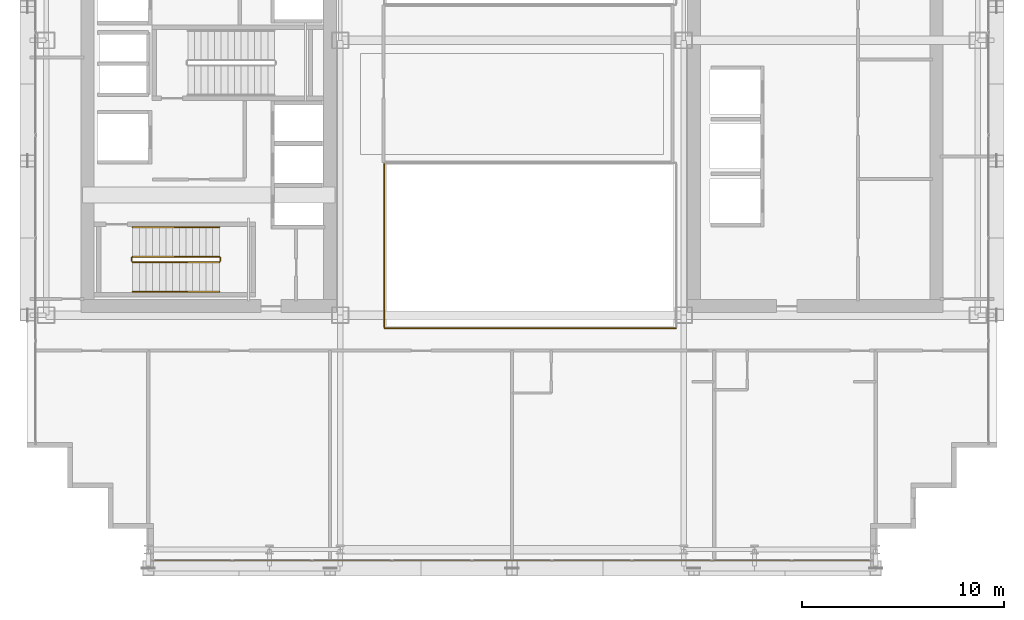
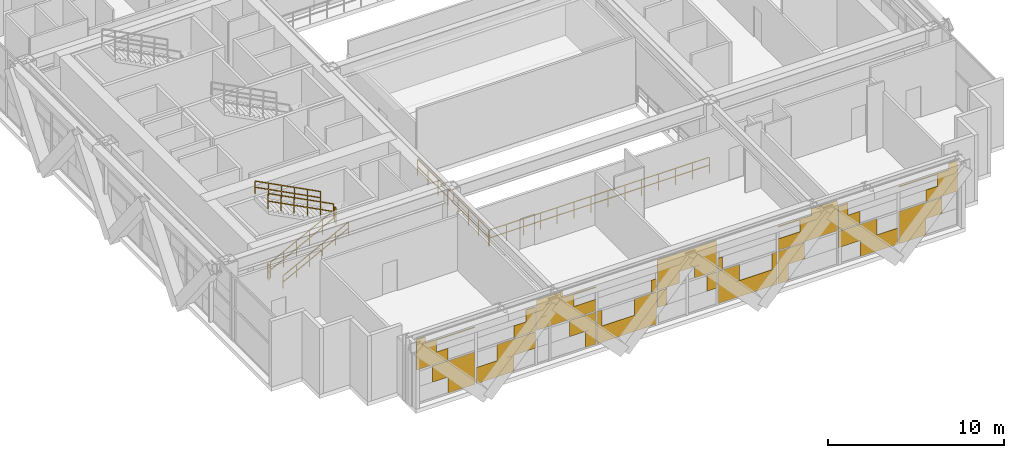
# One storey, part 35 of 38: 8 railings, 1 covering.
"""IFC4 building model written with IfcOpenShell, lengths in metres."""

import ifcopenshell
import ifcopenshell.guid

model = None  # the IFC model being written
_history = None  # IfcOwnerHistory: only IFC2X3 demands one
_inside = {}  # id of a spatial element -> (the spatial element, [elements in it])
_under = {}  # id of a project, library or spatial element -> (it, [spatial elements below it])
_declared = {}  # id of a project -> (the project, [libraries it declares])
_typed = {}  # id of a type object -> (the type object, [elements of that type])
_made_of = {}  # id of a material, layer set ... -> (it, [elements and type objects made of it])


def new_model(schema):
    """Start an empty IFC model of exactly this schema.

    Asked for "IFC4X3", IfcOpenShell would pick the latest addendum, in which some entities
    have other attributes; the version numbers below select the first issue.
    IFC2X3 requires an IfcOwnerHistory on every rooted entity: one is made here for all.
    """
    global model, _history
    if schema == "IFC4X3":
        model = ifcopenshell.file(schema_version=(4, 3, 0, 0))
    else:
        model = ifcopenshell.file(schema=schema)
    _inside.clear()
    _under.clear()
    _declared.clear()
    _typed.clear()
    _made_of.clear()
    _history = None
    if model.schema == "IFC2X3":
        org = make("IfcOrganization", Name="unknown")
        user = make(
            "IfcPersonAndOrganization",
            ThePerson=make("IfcPerson", FamilyName="unknown"),
            TheOrganization=org,
        )
        app = make(
            "IfcApplication",
            ApplicationDeveloper=org,
            Version="unknown",
            ApplicationFullName="unknown",
            ApplicationIdentifier="unknown",
        )
        _history = make(
            "IfcOwnerHistory",
            OwningUser=user,
            OwningApplication=app,
            ChangeAction="ADDED",
            CreationDate=0,
        )
    return model


def make(cls, **values):
    """One entity of the class cls with the attributes given. An attribute that is None is left unset."""
    return model.create_entity(
        cls, **{name: value for name, value in values.items() if value is not None}
    )


def rooted(cls, **values):
    """An entity with a GlobalId (a new one), such as an element, a storey or a relation."""
    return make(cls, GlobalId=ifcopenshell.guid.new(), OwnerHistory=_history, **values)


def si_unit(unit_type, name, prefix=None):
    """IfcSIUnit, for example si_unit("LENGTHUNIT", "METRE", prefix="MILLI")."""
    return make("IfcSIUnit", UnitType=unit_type, Prefix=prefix, Name=name)


def assignment(units):
    """IfcUnitAssignment: the units of a project."""
    return None if units is None else make("IfcUnitAssignment", Units=units)


def point(xyz):
    """IfcCartesianPoint."""
    return None if xyz is None else make("IfcCartesianPoint", Coordinates=xyz)


def direction(xyz):
    """IfcDirection."""
    return None if xyz is None else make("IfcDirection", DirectionRatios=xyz)


def frame(location, z_axis=None, x_axis=None):
    """IfcAxis2Placement3D, a coordinate frame: its origin and axes. An axis left out is left unset."""
    return make(
        "IfcAxis2Placement3D",
        Location=point(location),
        Axis=direction(z_axis),
        RefDirection=direction(x_axis),
    )


def frame_2d(location, x_axis=None):
    """IfcAxis2Placement2D, a coordinate frame in the plane: its origin and x axis."""
    return make(
        "IfcAxis2Placement2D", Location=point(location), RefDirection=direction(x_axis)
    )


def origin():
    """The frame at (0, 0, 0) with its axes left unset."""
    return frame((0.0, 0.0, 0.0))


def origin_2d():
    """The frame at (0, 0) in the plane with its x axis left unset."""
    return frame_2d((0.0, 0.0))


def place(relative_to, where):
    """IfcLocalPlacement: puts the frame where relative to a parent placement (None: the world)."""
    return make(
        "IfcLocalPlacement", PlacementRelTo=relative_to, RelativePlacement=where
    )


def context(
    kind, dimensions, precision=None, world=None, true_north=None, identifier=None
):
    """IfcGeometricRepresentationContext, for example the 3D "Model" context."""
    return make(
        "IfcGeometricRepresentationContext",
        ContextIdentifier=identifier,
        ContextType=kind,
        CoordinateSpaceDimension=dimensions,
        Precision=precision,
        WorldCoordinateSystem=world,
        TrueNorth=true_north,
    )


def subcontext(parent, identifier, kind, view, scale=None):
    """IfcGeometricRepresentationSubContext, for example "Body" below "Model"."""
    return make(
        "IfcGeometricRepresentationSubContext",
        ContextIdentifier=identifier,
        ContextType=kind,
        ParentContext=parent,
        TargetScale=scale,
        TargetView=view,
    )


def project(units=None, contexts=None):
    """IfcProject with its units and contexts."""
    return rooted(
        "IfcProject",
        Name="project",
        RepresentationContexts=contexts,
        UnitsInContext=assignment(units),
    )


def spatial(cls, under=None, at=None, **own):
    """A site, building, storey or space (cls), placed at a placement, below another one or the project."""
    s = rooted(cls, ObjectPlacement=at, **own)
    if under is not None:
        _under.setdefault(under.id(), (under, []))[1].append(s)
    return s


def profile(cls, at=None, kind="AREA", **sizes):
    """A parametric profile (cls). Its sizes go by their IFC names, for example OverallWidth=200.0."""
    return make(cls, ProfileType=kind, Position=at, **sizes)


def rectangle(**sizes):
    """IfcRectangleProfileDef."""
    return profile("IfcRectangleProfileDef", **sizes)


def extrude(swept, where, along, depth):
    """IfcExtrudedAreaSolid: the profile swept, set in the frame where, extruded along a direction by depth."""
    return make(
        "IfcExtrudedAreaSolid",
        SweptArea=swept,
        Position=where,
        ExtrudedDirection=direction(along),
        Depth=depth,
    )


def shape(context_of_items, identifier, shape_type, items):
    """IfcShapeRepresentation: the items that make up one representation, for example the "Body"."""
    return make(
        "IfcShapeRepresentation",
        ContextOfItems=context_of_items,
        RepresentationIdentifier=identifier,
        RepresentationType=shape_type,
        Items=items,
    )


def material(Name=None, Category=None):
    """IfcMaterial."""
    return make("IfcMaterial", Name=Name, Category=Category)


def layer(
    of_material, thickness, ventilated=None, Name=None, Category=None, Priority=None
):
    """IfcMaterialLayer: one layer of a wall or slab, of a material (None: an air gap)."""
    return make(
        "IfcMaterialLayer",
        Material=of_material,
        LayerThickness=thickness,
        IsVentilated=ventilated,
        Name=Name,
        Category=Category,
        Priority=Priority,
    )


def layer_set(layers, Name=None):
    """IfcMaterialLayerSet."""
    return make("IfcMaterialLayerSet", MaterialLayers=layers, LayerSetName=Name)


def made_of(thing, what):
    """Note that an element or type object is made of a material, layer set ...; save() writes the relation."""
    if what is not None:
        _made_of.setdefault(what.id(), (what, []))[1].append(thing)
    return thing


def type_object(cls, material=None, **own):
    """A type object (cls), such as IfcWallType, which elements share."""
    return made_of(rooted(cls, **own), material)


def element(
    cls,
    number,
    at=None,
    inside=None,
    cuts=None,
    type_object=None,
    material=None,
    context=None,
    identifier="Body",
    shape_type=None,
    held_by="IfcProductDefinitionShape",
    body=None,
    shapes=None,
    **own,
):
    """One element of the class cls, such as IfcWall. Its Tag is "e" and its number.

    at: its placement. inside: the storey or other place that contains it. cuts: it is an
    opening in that element (IfcRelVoidsElement). A single representation is given by context,
    identifier, shape_type and body (its items); several are given by shapes. held_by: the class
    of the entity that holds the representations. save() writes the other relations.
    """
    e = rooted(cls, Tag="e%d" % number, ObjectPlacement=at, **own)
    if body is not None:
        shapes = [shape(context, identifier, shape_type, body)]
    if shapes is not None:
        e.Representation = make(held_by, Representations=shapes)
    if inside is not None:
        _inside.setdefault(inside.id(), (inside, []))[1].append(e)
    if cuts is not None:
        rooted(
            "IfcRelVoidsElement", RelatingBuildingElement=cuts, RelatedOpeningElement=e
        )
    if type_object is not None:
        _typed.setdefault(type_object.id(), (type_object, []))[1].append(e)
    return made_of(e, material)


def aggregate(whole, parts):
    """IfcRelAggregates: a whole, such as a stair, and the parts it consists of."""
    return rooted("IfcRelAggregates", RelatingObject=whole, RelatedObjects=parts)


def save(model, path):
    """Write the relations noted so far, then the file.

    IfcRelAggregates (storeys below a building ...), IfcRelContainedInSpatialStructure (elements
    in a storey), IfcRelDefinesByType, IfcRelAssociatesMaterial and IfcRelDeclares: one each for
    every whole, place, type object, material and project.
    """
    for whole, parts in _under.values():
        aggregate(whole, parts)
    for where, things in _inside.values():
        rooted(
            "IfcRelContainedInSpatialStructure",
            RelatedElements=things,
            RelatingStructure=where,
        )
    for kind, things in _typed.values():
        rooted("IfcRelDefinesByType", RelatedObjects=things, RelatingType=kind)
    for what, things in _made_of.values():
        rooted("IfcRelAssociatesMaterial", RelatedObjects=things, RelatingMaterial=what)
    for by, libraries in _declared.values():
        rooted("IfcRelDeclares", RelatingContext=by, RelatedDefinitions=libraries)
    model.write(path)


model = new_model("IFC4")

# Units and contexts
model_context = context("Model", 3, precision=1e-05, world=origin(), true_north=direction((0.0, 1.0)))
body_context = subcontext(model_context, "Body", "Model", "MODEL_VIEW")
ifc_project = project(units=[si_unit("LENGTHUNIT", "METRE"), si_unit("AREAUNIT", "SQUARE_METRE"), si_unit("VOLUMEUNIT", "CUBIC_METRE"), si_unit("PLANEANGLEUNIT", "RADIAN"), si_unit("MASSUNIT", "GRAM", prefix="KILO")], contexts=[model_context])

# Site, building, storey
site_placement = place(None, origin())
site = spatial("IfcSite", under=ifc_project, at=site_placement, CompositionType="ELEMENT")
building_placement = place(site_placement, origin())
building = spatial("IfcBuilding", under=site, at=building_placement, Name="Ocotamira Hotel", CompositionType="ELEMENT")
storey_placement = place(building_placement, frame((0.0, 0.0, 92.39990234375)))
storey = spatial("IfcBuildingStorey", under=building, at=storey_placement, Name="L22", CompositionType="ELEMENT", Elevation=92.39990234375)

# Covering
ifc_material_1 = material(Name="Insulated pale-metal aluminium spandrel panel", Category="aluminium")
ifc_layer = layer(ifc_material_1, 0.044921875)
ifc_layer_set = layer_set([ifc_layer], Name="Insulated pale-metal aluminium spandrel panel")
covering_type = type_object("IfcCoveringType", Name="COV-INFILL-45", PredefinedType="CLADDING", material=ifc_layer_set)
covering_placement = place(storey_placement, origin())
element("IfcCovering", 1, at=covering_placement, inside=storey, type_object=covering_type, Name="L22 Curtain Wall Infill CW-5 CW-L22-S1", PredefinedType="CLADDING", context=body_context, shape_type="SweptSolid", body=[
    extrude(rectangle(XDim=2.8037109375, YDim=0.044921875, at=origin_2d()), frame((16.71337890625, 2.419921875, 1.1943359375), z_axis=(0.0, 0.0, 1.0), x_axis=(1.0, 0.0, 0.0)), (0.0, 0.0, 1.0), 1.117919921875),
    extrude(rectangle(XDim=1.763427734375, YDim=0.044921875, at=origin_2d()), frame((17.2333984375, 2.419921875, 0.07568359375), z_axis=(0.0, 0.0, 1.0), x_axis=(1.0, 0.0, 0.0)), (0.0, 0.0, 1.0), 1.117919921875),
    extrude(rectangle(XDim=2.052490234375, YDim=0.044921875, at=origin_2d()), frame((15.306884765625, 2.419921875, 2.387939453125), z_axis=(0.0, 0.0, 1.0), x_axis=(1.0, 0.0, 0.0)), (0.0, 0.0, 1.0), 0.79638671875),
    extrude(rectangle(XDim=1.311279296875, YDim=0.044921875, at=origin_2d()), frame((14.936279296875, 2.419921875, 3.185302734375), z_axis=(0.0, 0.0, 1.0), x_axis=(1.0, 0.0, 0.0)), (0.0, 0.0, 1.0), 0.79638671875),
    extrude(rectangle(XDim=3.834716796875, YDim=0.044921875, at=origin_2d()), frame((16.19775390625, 2.419921875, 3.982421875), z_axis=(0.0, 0.0, 1.0), x_axis=(1.0, 0.0, 0.0)), (0.0, 0.0, 1.0), 0.072998046875),
    extrude(rectangle(XDim=0.578125, YDim=0.044921875, at=origin_2d()), frame((14.569580078125, 2.419921875, 4.056640625), z_axis=(0.0, 0.0, 1.0), x_axis=(1.0, 0.0, 0.0)), (0.0, 0.0, 1.0), 0.427978515625),
    extrude(rectangle(XDim=2.452392578125, YDim=0.044921875, at=origin_2d()), frame((19.422119140625, 2.419921875, 0.07568359375), z_axis=(0.0, 0.0, 1.0), x_axis=(1.0, 0.0, 0.0)), (0.0, 0.0, 1.0), 1.117919921875),
    extrude(rectangle(XDim=2.513671875, YDim=0.044921875, at=origin_2d()), frame((20.813720703125, 2.419921875, 1.1943359375), z_axis=(0.0, 0.0, 1.0), x_axis=(1.0, 0.0, 0.0)), (0.0, 0.0, 1.0), 1.117919921875),
    extrude(rectangle(XDim=1.40380859375, YDim=0.044921875, at=origin_2d()), frame((21.36865234375, 2.419921875, 2.38818359375), z_axis=(0.0, 0.0, 1.0), x_axis=(1.0, 0.0, 0.0)), (0.0, 0.0, 1.0), 0.833251953125),
    extrude(rectangle(XDim=0.628173828125, YDim=0.044921875, at=origin_2d()), frame((21.756591796875, 2.419921875, 3.22216796875), z_axis=(0.0, 0.0, 1.0), x_axis=(1.0, 0.0, 0.0)), (0.0, 0.0, 1.0), 0.833251953125),
    extrude(rectangle(XDim=1.714599609375, YDim=0.044921875, at=origin_2d()), frame((25.168701171875, 2.419921875, 1.1943359375), z_axis=(0.0, 0.0, 1.0), x_axis=(1.0, 0.0, 0.0)), (0.0, 0.0, 1.0), 1.117919921875),
    extrude(rectangle(XDim=0.674560546875, YDim=0.044921875, at=origin_2d()), frame((25.68896484375, 2.419921875, 0.07568359375), z_axis=(0.0, 0.0, 1.0), x_axis=(1.0, 0.0, 0.0)), (0.0, 0.0, 1.0), 1.117919921875),
    extrude(rectangle(XDim=3.87451171875, YDim=0.044921875, at=origin_2d()), frame((24.0888671875, 2.419921875, 2.387939453125), z_axis=(0.0, 0.0, 1.0), x_axis=(1.0, 0.0, 0.0)), (0.0, 0.0, 1.0), 0.79638671875),
    extrude(rectangle(XDim=2.440185546875, YDim=0.044921875, at=origin_2d()), frame((23.37158203125, 2.419921875, 3.185302734375), z_axis=(0.0, 0.0, 1.0), x_axis=(1.0, 0.0, 0.0)), (0.0, 0.0, 1.0), 0.79638671875),
    extrude(rectangle(XDim=3.87451171875, YDim=0.044921875, at=origin_2d()), frame((24.0888671875, 2.419921875, 3.982421875), z_axis=(0.0, 0.0, 1.0), x_axis=(1.0, 0.0, 0.0)), (0.0, 0.0, 1.0), 0.072998046875),
    extrude(rectangle(XDim=1.70703125, YDim=0.044921875, at=origin_2d()), frame((23.005126953125, 2.419921875, 4.056640625), z_axis=(0.0, 0.0, 1.0), x_axis=(1.0, 0.0, 0.0)), (0.0, 0.0, 1.0), 0.427978515625),
    extrude(rectangle(XDim=3.87451171875, YDim=0.044921875, at=origin_2d()), frame((28.04443359375, 2.419921875, 0.07568359375), z_axis=(0.0, 0.0, 1.0), x_axis=(1.0, 0.0, 0.0)), (0.0, 0.0, 1.0), 1.117919921875),
    extrude(rectangle(XDim=0.3359375, YDim=0.044921875, at=origin_2d()), frame((26.275146484375, 2.419921875, 1.1943359375), z_axis=(0.0, 0.0, 1.0), x_axis=(1.0, 0.0, 0.0)), (0.0, 0.0, 1.0), 1.117919921875),
    extrude(rectangle(XDim=1.4248046875, YDim=0.044921875, at=origin_2d()), frame((29.269287109375, 2.419921875, 1.1943359375), z_axis=(0.0, 0.0, 1.0), x_axis=(1.0, 0.0, 0.0)), (0.0, 0.0, 1.0), 1.117919921875),
    extrude(rectangle(XDim=0.314697265625, YDim=0.044921875, at=origin_2d()), frame((29.82421875, 2.419921875, 2.38818359375), z_axis=(0.0, 0.0, 1.0), x_axis=(1.0, 0.0, 0.0)), (0.0, 0.0, 1.0), 0.833251953125),
    extrude(rectangle(XDim=0.625732421875, YDim=0.044921875, at=origin_2d()), frame((30.37548828125, 2.419921875, 1.1943359375), z_axis=(0.0, 0.0, 1.0), x_axis=(1.0, 0.0, 0.0)), (0.0, 0.0, 1.0), 1.117919921875),
    extrude(rectangle(XDim=0.625732421875, YDim=0.044921875, at=origin_2d()), frame((33.62451171875, 2.419921875, 1.1943359375), z_axis=(0.0, 0.0, 1.0), x_axis=(1.0, 0.0, 0.0)), (0.0, 0.0, 1.0), 1.117919921875),
    extrude(rectangle(XDim=1.436767578125, YDim=0.044921875, at=origin_2d()), frame((30.781005859375, 2.419921875, 2.387939453125), z_axis=(0.0, 0.0, 1.0), x_axis=(1.0, 0.0, 0.0)), (0.0, 0.0, 1.0), 0.79638671875),
    extrude(rectangle(XDim=3.87451171875, YDim=0.044921875, at=origin_2d()), frame((32.0, 2.419921875, 3.185302734375), z_axis=(0.0, 0.0, 1.0), x_axis=(1.0, 0.0, 0.0)), (0.0, 0.0, 1.0), 1.29931640625),
    extrude(rectangle(XDim=1.436767578125, YDim=0.044921875, at=origin_2d()), frame((33.218994140625, 2.419921875, 2.387939453125), z_axis=(0.0, 0.0, 1.0), x_axis=(1.0, 0.0, 0.0)), (0.0, 0.0, 1.0), 0.79638671875),
    extrude(rectangle(XDim=3.87451171875, YDim=0.044921875, at=origin_2d()), frame((35.95556640625, 2.419921875, 0.07568359375), z_axis=(0.0, 0.0, 1.0), x_axis=(1.0, 0.0, 0.0)), (0.0, 0.0, 1.0), 1.117919921875),
    extrude(rectangle(XDim=1.4248046875, YDim=0.044921875, at=origin_2d()), frame((34.730712890625, 2.419921875, 1.1943359375), z_axis=(0.0, 0.0, 1.0), x_axis=(1.0, 0.0, 0.0)), (0.0, 0.0, 1.0), 1.117919921875),
    extrude(rectangle(XDim=0.3359375, YDim=0.044921875, at=origin_2d()), frame((37.724853515625, 2.419921875, 1.1943359375), z_axis=(0.0, 0.0, 1.0), x_axis=(1.0, 0.0, 0.0)), (0.0, 0.0, 1.0), 1.117919921875),
    extrude(rectangle(XDim=0.314697265625, YDim=0.044921875, at=origin_2d()), frame((34.17578125, 2.419921875, 2.38818359375), z_axis=(0.0, 0.0, 1.0), x_axis=(1.0, 0.0, 0.0)), (0.0, 0.0, 1.0), 0.833251953125),
    extrude(rectangle(XDim=0.674560546875, YDim=0.044921875, at=origin_2d()), frame((38.31103515625, 2.419921875, 0.07568359375), z_axis=(0.0, 0.0, 1.0), x_axis=(1.0, 0.0, 0.0)), (0.0, 0.0, 1.0), 1.117919921875),
    extrude(rectangle(XDim=1.714599609375, YDim=0.044921875, at=origin_2d()), frame((38.831298828125, 2.419921875, 1.1943359375), z_axis=(0.0, 0.0, 1.0), x_axis=(1.0, 0.0, 0.0)), (0.0, 0.0, 1.0), 1.117919921875),
    extrude(rectangle(XDim=3.87451171875, YDim=0.044921875, at=origin_2d()), frame((39.9111328125, 2.419921875, 2.387939453125), z_axis=(0.0, 0.0, 1.0), x_axis=(1.0, 0.0, 0.0)), (0.0, 0.0, 1.0), 0.79638671875),
    extrude(rectangle(XDim=3.87451171875, YDim=0.044921875, at=origin_2d()), frame((39.9111328125, 2.419921875, 3.982421875), z_axis=(0.0, 0.0, 1.0), x_axis=(1.0, 0.0, 0.0)), (0.0, 0.0, 1.0), 0.072998046875),
    extrude(rectangle(XDim=2.440185546875, YDim=0.044921875, at=origin_2d()), frame((40.62841796875, 2.419921875, 3.185302734375), z_axis=(0.0, 0.0, 1.0), x_axis=(1.0, 0.0, 0.0)), (0.0, 0.0, 1.0), 0.79638671875),
    extrude(rectangle(XDim=1.70703125, YDim=0.044921875, at=origin_2d()), frame((40.994873046875, 2.419921875, 4.056640625), z_axis=(0.0, 0.0, 1.0), x_axis=(1.0, 0.0, 0.0)), (0.0, 0.0, 1.0), 0.427978515625),
    extrude(rectangle(XDim=2.513671875, YDim=0.044921875, at=origin_2d()), frame((43.186279296875, 2.419921875, 1.1943359375), z_axis=(0.0, 0.0, 1.0), x_axis=(1.0, 0.0, 0.0)), (0.0, 0.0, 1.0), 1.117919921875),
    extrude(rectangle(XDim=2.452392578125, YDim=0.044921875, at=origin_2d()), frame((44.577880859375, 2.419921875, 0.07568359375), z_axis=(0.0, 0.0, 1.0), x_axis=(1.0, 0.0, 0.0)), (0.0, 0.0, 1.0), 1.117919921875),
    extrude(rectangle(XDim=1.40380859375, YDim=0.044921875, at=origin_2d()), frame((42.63134765625, 2.419921875, 2.38818359375), z_axis=(0.0, 0.0, 1.0), x_axis=(1.0, 0.0, 0.0)), (0.0, 0.0, 1.0), 0.833251953125),
    extrude(rectangle(XDim=0.628173828125, YDim=0.044921875, at=origin_2d()), frame((42.243408203125, 2.419921875, 3.22216796875), z_axis=(0.0, 0.0, 1.0), x_axis=(1.0, 0.0, 0.0)), (0.0, 0.0, 1.0), 0.833251953125),
    extrude(rectangle(XDim=1.763427734375, YDim=0.044921875, at=origin_2d()), frame((46.7666015625, 2.419921875, 0.07568359375), z_axis=(0.0, 0.0, 1.0), x_axis=(1.0, 0.0, 0.0)), (0.0, 0.0, 1.0), 1.117919921875),
    extrude(rectangle(XDim=2.8037109375, YDim=0.044921875, at=origin_2d()), frame((47.28662109375, 2.419921875, 1.1943359375), z_axis=(0.0, 0.0, 1.0), x_axis=(1.0, 0.0, 0.0)), (0.0, 0.0, 1.0), 1.117919921875),
    extrude(rectangle(XDim=3.834716796875, YDim=0.044921875, at=origin_2d()), frame((47.80224609375, 2.419921875, 3.982421875), z_axis=(0.0, 0.0, 1.0), x_axis=(1.0, 0.0, 0.0)), (0.0, 0.0, 1.0), 0.072998046875),
    extrude(rectangle(XDim=2.052490234375, YDim=0.044921875, at=origin_2d()), frame((48.693115234375, 2.419921875, 2.387939453125), z_axis=(0.0, 0.0, 1.0), x_axis=(1.0, 0.0, 0.0)), (0.0, 0.0, 1.0), 0.79638671875),
    extrude(rectangle(XDim=1.311279296875, YDim=0.044921875, at=origin_2d()), frame((49.063720703125, 2.419921875, 3.185302734375), z_axis=(0.0, 0.0, 1.0), x_axis=(1.0, 0.0, 0.0)), (0.0, 0.0, 1.0), 0.79638671875),
    extrude(rectangle(XDim=0.578125, YDim=0.044921875, at=origin_2d()), frame((49.430419921875, 2.419921875, 4.056640625), z_axis=(0.0, 0.0, 1.0), x_axis=(1.0, 0.0, 0.0)), (0.0, 0.0, 1.0), 0.427978515625),
])

# Railings
ifc_material_2 = material(Name="Painted steel stair guardrail", Category="steel")
railing_type_1 = type_object("IfcRailingType", Name="RL-EDGE-1150", PredefinedType="GUARDRAIL", material=ifc_material_2)
railing_1_placement = place(storey_placement, frame((25.699951171875, 13.89990234375, 0.0)))
element("IfcRailing", 2, at=railing_1_placement, inside=storey, type_object=railing_type_1, Name="L22 Atrium Bridge Lightwell Guard S S", PredefinedType="GUARDRAIL", context=body_context, shape_type="SweptSolid", body=[
    extrude(rectangle(XDim=0.048095703125, YDim=0.048095703125, at=origin_2d()), frame((0.0, 0.0, 1.1259765625), z_axis=(1.0, 0.0, 0.0), x_axis=(0.0, 1.0, 0.0)), (0.0, 0.0, 1.0), 14.400146484375),
    extrude(rectangle(XDim=0.048095703125, YDim=0.048095703125, at=origin_2d()), frame((0.0, 0.0, 0.574951171875), z_axis=(1.0, 0.0, 0.0), x_axis=(0.0, 1.0, 0.0)), (0.0, 0.0, 1.0), 14.400146484375),
    extrude(rectangle(XDim=0.0419921875, YDim=0.0419921875, at=origin_2d()), origin(), (0.0, 0.0, 1.0), 1.101806640625),
    extrude(rectangle(XDim=0.0419921875, YDim=0.0419921875, at=origin_2d()), frame((1.107666015625, 0.0, 0.0)), (0.0, 0.0, 1.0), 1.101806640625),
    extrude(rectangle(XDim=0.0419921875, YDim=0.0419921875, at=origin_2d()), frame((2.21533203125, 0.0, 0.0)), (0.0, 0.0, 1.0), 1.101806640625),
    extrude(rectangle(XDim=0.0419921875, YDim=0.0419921875, at=origin_2d()), frame((3.322998046875, 0.0, 0.0)), (0.0, 0.0, 1.0), 1.101806640625),
    extrude(rectangle(XDim=0.0419921875, YDim=0.0419921875, at=origin_2d()), frame((4.430908203125, 0.0, 0.0)), (0.0, 0.0, 1.0), 1.101806640625),
    extrude(rectangle(XDim=0.0419921875, YDim=0.0419921875, at=origin_2d()), frame((5.53857421875, 0.0, 0.0)), (0.0, 0.0, 1.0), 1.101806640625),
    extrude(rectangle(XDim=0.0419921875, YDim=0.0419921875, at=origin_2d()), frame((6.646240234375, 0.0, 0.0)), (0.0, 0.0, 1.0), 1.101806640625),
    extrude(rectangle(XDim=0.0419921875, YDim=0.0419921875, at=origin_2d()), frame((7.75390625, 0.0, 0.0)), (0.0, 0.0, 1.0), 1.101806640625),
    extrude(rectangle(XDim=0.0419921875, YDim=0.0419921875, at=origin_2d()), frame((8.861572265625, 0.0, 0.0)), (0.0, 0.0, 1.0), 1.101806640625),
    extrude(rectangle(XDim=0.0419921875, YDim=0.0419921875, at=origin_2d()), frame((9.96923828125, 0.0, 0.0)), (0.0, 0.0, 1.0), 1.101806640625),
    extrude(rectangle(XDim=0.0419921875, YDim=0.0419921875, at=origin_2d()), frame((11.0771484375, 0.0, 0.0)), (0.0, 0.0, 1.0), 1.101806640625),
    extrude(rectangle(XDim=0.0419921875, YDim=0.0419921875, at=origin_2d()), frame((12.184814453125, 0.0, 0.0)), (0.0, 0.0, 1.0), 1.101806640625),
    extrude(rectangle(XDim=0.0419921875, YDim=0.0419921875, at=origin_2d()), frame((13.29248046875, 0.0, 0.0)), (0.0, 0.0, 1.0), 1.101806640625),
    extrude(rectangle(XDim=0.0419921875, YDim=0.0419921875, at=origin_2d()), frame((14.400146484375, 0.0, 0.0)), (0.0, 0.0, 1.0), 1.101806640625),
])
railing_2_placement = place(storey_placement, frame((25.679931640625, 22.02001953125, 0.0)))
element("IfcRailing", 3, at=railing_2_placement, inside=storey, type_object=railing_type_1, Name="L22 Atrium Bridge Lightwell Guard S W", PredefinedType="GUARDRAIL", context=body_context, shape_type="SweptSolid", body=[
    extrude(rectangle(XDim=0.048095703125, YDim=0.048095703125, at=origin_2d()), frame((0.0, 0.0, 1.1259765625), z_axis=(0.0, -1.0, 0.0), x_axis=(1.0, 0.0, 0.0)), (0.0, 0.0, 1.0), 8.0400390625),
    extrude(rectangle(XDim=0.048095703125, YDim=0.048095703125, at=origin_2d()), frame((0.0, 0.0, 0.574951171875), z_axis=(0.0, -1.0, 0.0), x_axis=(1.0, 0.0, 0.0)), (0.0, 0.0, 1.0), 8.0400390625),
    extrude(rectangle(XDim=0.0419921875, YDim=0.0419921875, at=origin_2d()), origin(), (0.0, 0.0, 1.0), 1.101806640625),
    extrude(rectangle(XDim=0.0419921875, YDim=0.0419921875, at=origin_2d()), frame((0.0, -1.148681640625, 0.0)), (0.0, 0.0, 1.0), 1.101806640625),
    extrude(rectangle(XDim=0.0419921875, YDim=0.0419921875, at=origin_2d()), frame((0.0, -2.297119140625, 0.0)), (0.0, 0.0, 1.0), 1.101806640625),
    extrude(rectangle(XDim=0.0419921875, YDim=0.0419921875, at=origin_2d()), frame((0.0, -3.44580078125, 0.0)), (0.0, 0.0, 1.0), 1.101806640625),
    extrude(rectangle(XDim=0.0419921875, YDim=0.0419921875, at=origin_2d()), frame((0.0, -4.59423828125, 0.0)), (0.0, 0.0, 1.0), 1.101806640625),
    extrude(rectangle(XDim=0.0419921875, YDim=0.0419921875, at=origin_2d()), frame((0.0, -5.742919921875, 0.0)), (0.0, 0.0, 1.0), 1.101806640625),
    extrude(rectangle(XDim=0.0419921875, YDim=0.0419921875, at=origin_2d()), frame((0.0, -6.891357421875, 0.0)), (0.0, 0.0, 1.0), 1.101806640625),
    extrude(rectangle(XDim=0.0419921875, YDim=0.0419921875, at=origin_2d()), frame((0.0, -8.0400390625, 0.0)), (0.0, 0.0, 1.0), 1.101806640625),
])
ifc_material_3 = material(Name="Brushed stainless steel handrail", Category="steel")
railing_type_2 = type_object("IfcRailingType", Name="RL-HAND-900", PredefinedType="HANDRAIL", material=ifc_material_3)
railing_3_placement = place(storey_placement, frame((13.22998046875, 15.719970703125, 0.343017578125)))
element("IfcRailing", 4, at=railing_3_placement, inside=storey, type_object=railing_type_2, Name="L22 ST-1 stair handrail 1", PredefinedType="HANDRAIL", context=body_context, shape_type="SweptSolid", body=[
    extrude(rectangle(XDim=0.048095703125, YDim=0.048095703125, at=origin_2d()), frame((0.0, 0.0, 0.8759765625), z_axis=(0.887411858541, 0.0, 0.46097743255), x_axis=(0.0, 1.0, 0.0)), (0.0, 0.0, 1.0), 4.834228515625),
    extrude(rectangle(XDim=0.048095703125, YDim=0.048095703125, at=origin_2d()), frame((0.0, 0.0, 0.449951171875), z_axis=(0.887411858541, 0.0, 0.46097743255), x_axis=(0.0, 1.0, 0.0)), (0.0, 0.0, 1.0), 4.834228515625),
    extrude(rectangle(XDim=0.0419921875, YDim=0.0419921875, at=origin_2d()), origin(), (0.0, 0.0, 1.0), 0.851806640625),
    extrude(rectangle(XDim=0.0419921875, YDim=0.0419921875, at=origin_2d()), frame((0.85791015625, 0.0, 0.44580078125)), (0.0, 0.0, 1.0), 0.851806640625),
    extrude(rectangle(XDim=0.0419921875, YDim=0.0419921875, at=origin_2d()), frame((1.716064453125, 0.0, 0.891357421875)), (0.0, 0.0, 1.0), 0.851806640625),
    extrude(rectangle(XDim=0.0419921875, YDim=0.0419921875, at=origin_2d()), frame((2.573974609375, 0.0, 1.337158203125)), (0.0, 0.0, 1.0), 0.851806640625),
    extrude(rectangle(XDim=0.0419921875, YDim=0.0419921875, at=origin_2d()), frame((3.43212890625, 0.0, 1.78271484375)), (0.0, 0.0, 1.0), 0.851806640625),
    extrude(rectangle(XDim=0.0419921875, YDim=0.0419921875, at=origin_2d()), frame((4.2900390625, 0.0, 2.228515625)), (0.0, 0.0, 1.0), 0.851806640625),
])
railing_4_placement = place(storey_placement, frame((17.52001953125, 18.89990234375, 2.742919921875)))
element("IfcRailing", 5, at=railing_4_placement, inside=storey, type_object=railing_type_2, Name="L22 ST-1 stair handrail 2", PredefinedType="HANDRAIL", context=body_context, shape_type="SweptSolid", body=[
    extrude(rectangle(XDim=0.048095703125, YDim=0.048095703125, at=origin_2d()), frame((0.0, 0.0, 0.8759765625), z_axis=(-0.887411858541, 0.0, 0.46097743255), x_axis=(0.0, -1.0, 0.0)), (0.0, 0.0, 1.0), 4.834228515625),
    extrude(rectangle(XDim=0.048095703125, YDim=0.048095703125, at=origin_2d()), frame((0.0, 0.0, 0.449951171875), z_axis=(-0.887411858541, 0.0, 0.46097743255), x_axis=(0.0, -1.0, 0.0)), (0.0, 0.0, 1.0), 4.834228515625),
    extrude(rectangle(XDim=0.0419921875, YDim=0.0419921875, at=origin_2d()), origin(), (0.0, 0.0, 1.0), 0.851806640625),
    extrude(rectangle(XDim=0.0419921875, YDim=0.0419921875, at=origin_2d()), frame((-0.85791015625, 0.0, 0.44580078125)), (0.0, 0.0, 1.0), 0.851806640625),
    extrude(rectangle(XDim=0.0419921875, YDim=0.0419921875, at=origin_2d()), frame((-1.716064453125, 0.0, 0.891357421875)), (0.0, 0.0, 1.0), 0.851806640625),
    extrude(rectangle(XDim=0.0419921875, YDim=0.0419921875, at=origin_2d()), frame((-2.573974609375, 0.0, 1.337158203125)), (0.0, 0.0, 1.0), 0.851806640625),
    extrude(rectangle(XDim=0.0419921875, YDim=0.0419921875, at=origin_2d()), frame((-3.43212890625, 0.0, 1.78271484375)), (0.0, 0.0, 1.0), 0.851806640625),
    extrude(rectangle(XDim=0.0419921875, YDim=0.0419921875, at=origin_2d()), frame((-4.2900390625, 0.0, 2.228515625)), (0.0, 0.0, 1.0), 0.851806640625),
])
railing_type_3 = type_object("IfcRailingType", Name="RL-STAIR-1100", PredefinedType="GUARDRAIL", material=ifc_material_2)
railing_5_placement = place(storey_placement, frame((13.22998046875, 17.179931640625, 0.171630859375)))
element("IfcRailing", 6, at=railing_5_placement, inside=storey, type_object=railing_type_3, Name="L22 ST-1 stair guard 1", PredefinedType="GUARDRAIL", context=body_context, shape_type="SweptSolid", body=[
    extrude(rectangle(XDim=0.048095703125, YDim=0.048095703125, at=origin_2d()), frame((0.0, 0.0, 1.076171875), z_axis=(0.887411858541, 0.0, 0.46097743255), x_axis=(0.0, 1.0, 0.0)), (0.0, 0.0, 1.0), 4.834228515625),
    extrude(rectangle(XDim=0.048095703125, YDim=0.048095703125, at=origin_2d()), frame((0.0, 0.0, 0.550048828125), z_axis=(0.887411858541, 0.0, 0.46097743255), x_axis=(0.0, 1.0, 0.0)), (0.0, 0.0, 1.0), 4.834228515625),
    extrude(rectangle(XDim=0.0419921875, YDim=0.0419921875, at=origin_2d()), origin(), (0.0, 0.0, 1.0), 1.052001953125),
    extrude(rectangle(XDim=0.0419921875, YDim=0.0419921875, at=origin_2d()), frame((0.85791015625, 0.0, 0.44580078125)), (0.0, 0.0, 1.0), 1.052001953125),
    extrude(rectangle(XDim=0.0419921875, YDim=0.0419921875, at=origin_2d()), frame((1.716064453125, 0.0, 0.891357421875)), (0.0, 0.0, 1.0), 1.052001953125),
    extrude(rectangle(XDim=0.0419921875, YDim=0.0419921875, at=origin_2d()), frame((2.573974609375, 0.0, 1.337158203125)), (0.0, 0.0, 1.0), 1.052001953125),
    extrude(rectangle(XDim=0.0419921875, YDim=0.0419921875, at=origin_2d()), frame((3.43212890625, 0.0, 1.78271484375)), (0.0, 0.0, 1.0), 1.052001953125),
    extrude(rectangle(XDim=0.0419921875, YDim=0.0419921875, at=origin_2d()), frame((4.2900390625, 0.0, 2.228515625)), (0.0, 0.0, 1.0), 1.052001953125),
])
railing_6_placement = place(storey_placement, frame((17.570068359375, 17.22998046875, 2.400146484375)))
element("IfcRailing", 7, at=railing_6_placement, inside=storey, type_object=railing_type_3, Name="L22 ST-1 stair guard 2", PredefinedType="GUARDRAIL", context=body_context, shape_type="SweptSolid", body=[
    extrude(rectangle(XDim=0.048095703125, YDim=0.048095703125, at=origin_2d()), frame((0.0, 0.0, 1.076171875), z_axis=(0.0, 1.0, 0.0), x_axis=(-1.0, 0.0, 0.0)), (0.0, 0.0, 1.0), 0.159912109375),
    extrude(rectangle(XDim=0.048095703125, YDim=0.048095703125, at=origin_2d()), frame((0.0, 0.0, 0.550048828125), z_axis=(0.0, 1.0, 0.0), x_axis=(-1.0, 0.0, 0.0)), (0.0, 0.0, 1.0), 0.159912109375),
    extrude(rectangle(XDim=0.0419921875, YDim=0.0419921875, at=origin_2d()), origin(), (0.0, 0.0, 1.0), 1.052001953125),
    extrude(rectangle(XDim=0.0419921875, YDim=0.0419921875, at=origin_2d()), frame((0.0, 0.159912109375, 0.0)), (0.0, 0.0, 1.0), 1.052001953125),
])
railing_7_placement = place(storey_placement, frame((17.52001953125, 17.43994140625, 2.571533203125)))
element("IfcRailing", 8, at=railing_7_placement, inside=storey, type_object=railing_type_3, Name="L22 ST-1 stair guard 3", PredefinedType="GUARDRAIL", context=body_context, shape_type="SweptSolid", body=[
    extrude(rectangle(XDim=0.048095703125, YDim=0.048095703125, at=origin_2d()), frame((0.0, 0.0, 1.076171875), z_axis=(-0.887411858541, 0.0, 0.46097743255), x_axis=(0.0, -1.0, 0.0)), (0.0, 0.0, 1.0), 4.834228515625),
    extrude(rectangle(XDim=0.048095703125, YDim=0.048095703125, at=origin_2d()), frame((0.0, 0.0, 0.550048828125), z_axis=(-0.887411858541, 0.0, 0.46097743255), x_axis=(0.0, -1.0, 0.0)), (0.0, 0.0, 1.0), 4.834228515625),
    extrude(rectangle(XDim=0.0419921875, YDim=0.0419921875, at=origin_2d()), origin(), (0.0, 0.0, 1.0), 1.052001953125),
    extrude(rectangle(XDim=0.0419921875, YDim=0.0419921875, at=origin_2d()), frame((-0.85791015625, 0.0, 0.44580078125)), (0.0, 0.0, 1.0), 1.052001953125),
    extrude(rectangle(XDim=0.0419921875, YDim=0.0419921875, at=origin_2d()), frame((-1.716064453125, 0.0, 0.891357421875)), (0.0, 0.0, 1.0), 1.052001953125),
    extrude(rectangle(XDim=0.0419921875, YDim=0.0419921875, at=origin_2d()), frame((-2.573974609375, 0.0, 1.337158203125)), (0.0, 0.0, 1.0), 1.052001953125),
    extrude(rectangle(XDim=0.0419921875, YDim=0.0419921875, at=origin_2d()), frame((-3.43212890625, 0.0, 1.78271484375)), (0.0, 0.0, 1.0), 1.052001953125),
    extrude(rectangle(XDim=0.0419921875, YDim=0.0419921875, at=origin_2d()), frame((-4.2900390625, 0.0, 2.228515625)), (0.0, 0.0, 1.0), 1.052001953125),
])
railing_8_placement = place(storey_placement, frame((13.179931640625, 17.22998046875, 0.0)))
element("IfcRailing", 9, at=railing_8_placement, inside=storey, type_object=railing_type_3, Name="L22 ST-1 stair guard 4", PredefinedType="GUARDRAIL", context=body_context, shape_type="SweptSolid", body=[
    extrude(rectangle(XDim=0.048095703125, YDim=0.048095703125, at=origin_2d()), frame((0.0, 0.0, 1.076171875), z_axis=(0.0, 1.0, 0.0), x_axis=(-1.0, 0.0, 0.0)), (0.0, 0.0, 1.0), 0.159912109375),
    extrude(rectangle(XDim=0.048095703125, YDim=0.048095703125, at=origin_2d()), frame((0.0, 0.0, 0.550048828125), z_axis=(0.0, 1.0, 0.0), x_axis=(-1.0, 0.0, 0.0)), (0.0, 0.0, 1.0), 0.159912109375),
    extrude(rectangle(XDim=0.0419921875, YDim=0.0419921875, at=origin_2d()), origin(), (0.0, 0.0, 1.0), 1.052001953125),
    extrude(rectangle(XDim=0.0419921875, YDim=0.0419921875, at=origin_2d()), frame((0.0, 0.159912109375, 0.0)), (0.0, 0.0, 1.0), 1.052001953125),
])

save(model, "model.ifc")
